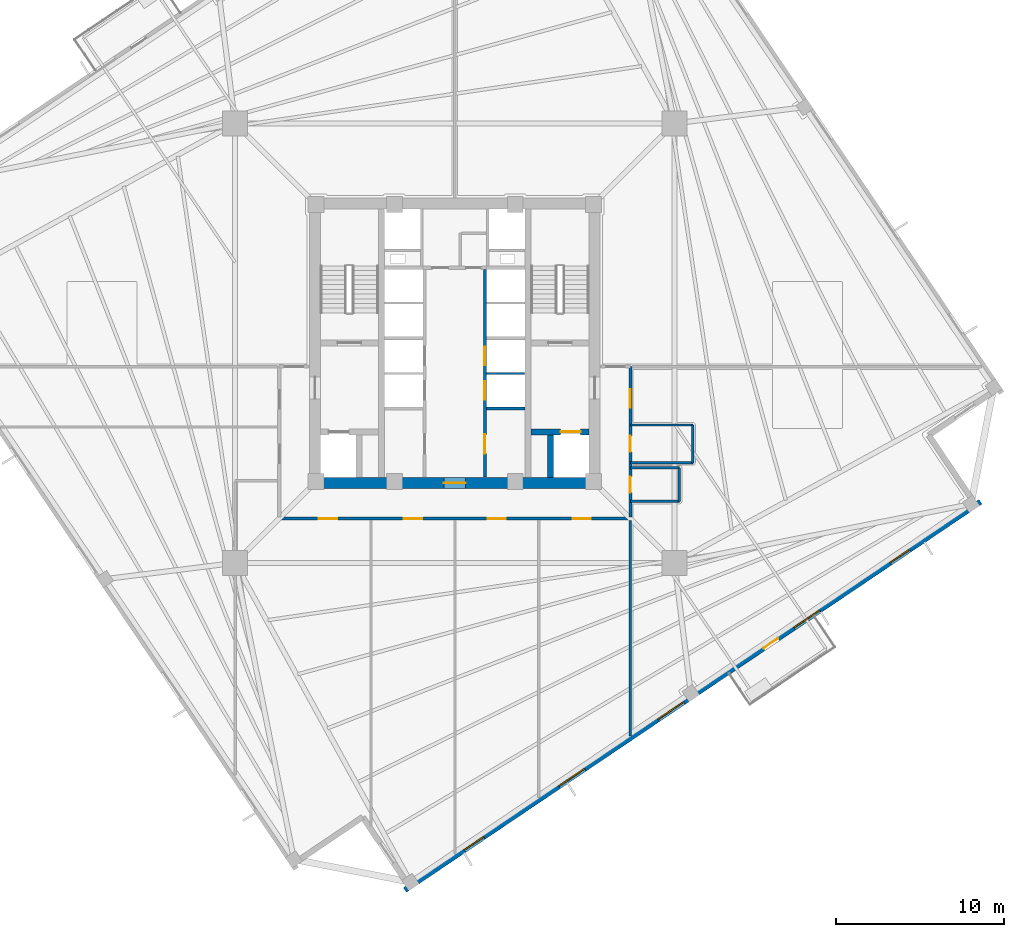
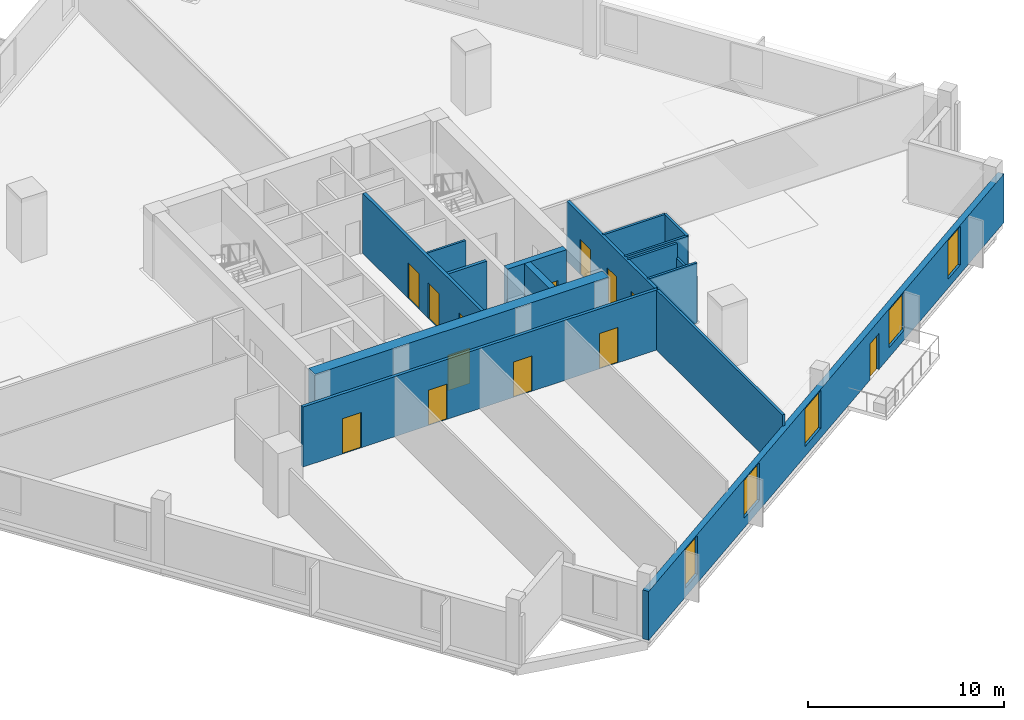
# One storey, part 3 of 8: 16 walls, 13 doors, 5 windows, 18 openings.
"""IFC4 building model written with IfcOpenShell, lengths in metres."""

from ifc_helpers import new_model, si_unit, direction, frame, frame_2d, origin, place, context, subcontext, project, spatial, rectangle, extrude, source, transform, mapped, material, layer, layer_set, type_object, element, fill, save


model = new_model("IFC4")

# Units and contexts
model_context = context("Model", 3, precision=1e-05, world=origin(), true_north=direction((0.0, 1.0)))
body_context = subcontext(model_context, "Body", "Model", "MODEL_VIEW")
ifc_project = project(units=[si_unit("LENGTHUNIT", "METRE"), si_unit("AREAUNIT", "SQUARE_METRE"), si_unit("VOLUMEUNIT", "CUBIC_METRE"), si_unit("PLANEANGLEUNIT", "RADIAN"), si_unit("MASSUNIT", "GRAM", prefix="KILO"), si_unit("THERMODYNAMICTEMPERATUREUNIT", "KELVIN")], contexts=[model_context])

# Site, building, storey
site_placement = place(None, origin())
site = spatial("IfcSite", under=ifc_project, at=site_placement, CompositionType="ELEMENT")
building_placement = place(site_placement, origin())
building = spatial("IfcBuilding", under=site, at=building_placement, Name="Kosmvard Interchange Tower", CompositionType="ELEMENT")
storey_placement = place(building_placement, frame((0.0, 0.0, 148.39990234375)))
storey = spatial("IfcBuildingStorey", under=building, at=storey_placement, Name="L35", CompositionType="ELEMENT", Elevation=148.39990234375)

# Wall
ifc_material_1 = material(Name="Acoustic gypsum partition system")
ifc_layer_1 = layer(ifc_material_1, 0.14990234375, Name="Acoustic gypsum partition system")
ifc_layer_set_1 = layer_set([ifc_layer_1], Name="Acoustic gypsum partition system")
wall_type_1 = type_object("IfcWallType", Name="Acoustic Suite & Meeting Partition 150", PredefinedType="PARTITIONING", material=ifc_layer_set_1)
wall_1_placement = place(storey_placement, frame((10.449951171875, -23.378173828125, 0.0), z_axis=(0.0, 0.0, 1.0), x_axis=(0.0, 1.0, 0.0)))
element("IfcWall", 1, at=wall_1_placement, inside=storey, type_object=wall_type_1, Name="L35 Room Partition 10.1", PredefinedType="PARTITIONING", context=body_context, shape_type="SweptSolid", body=[
    extrude(rectangle(XDim=12.833251953125, YDim=0.14990234375, at=frame_2d((6.41650390625, 0.0))), origin(), (0.0, 0.0, 1.0), 3.739990234375),
])

# Wall, openings, doors
ifc_material_2 = material(Name="Fire-rated gypsum partition system")
ifc_layer_2 = layer(ifc_material_2, 0.179931640625, Name="Fire-rated gypsum partition system")
ifc_layer_set_2 = layer_set([ifc_layer_2], Name="Fire-rated gypsum partition system")
wall_type_2 = type_object("IfcWallType", Name="Corridor & Hotel Compartment Partition 180", PredefinedType="PARTITIONING", material=ifc_layer_set_2)
wall_2_placement = place(storey_placement, frame((1.7900390625, -7.97998046875, 0.0), z_axis=(0.0, 0.0, 1.0), x_axis=(0.0, 1.0, 0.0)))
wall_2 = element("IfcWall", 2, at=wall_2_placement, inside=storey, type_object=wall_type_2, Name="L35 East Lift Bank Front Wall", PredefinedType="PARTITIONING", context=body_context, shape_type="SweptSolid", body=[
    extrude(rectangle(XDim=12.3798828125, YDim=0.179931640625, at=frame_2d((6.18994140625, 0.0))), origin(), (0.0, 0.0, 1.0), 3.739990234375),
])
opening_1_placement = place(wall_2_placement, frame((4.60009765625, 0.0, 0.0)))
opening_1 = element("IfcOpeningElement", 3, at=opening_1_placement, cuts=wall_2, Name="Opening LD-PL-M3-L35", PredefinedType="OPENING", context=body_context, shape_type="SweptSolid", body=[
    extrude(rectangle(XDim=1.10009765625, YDim=2.199951171875, at=frame_2d((0.550048828125, 1.10009765625))), frame((0.0, 0.10009765625, 0.0), z_axis=(0.0, -1.0, 0.0), x_axis=(1.0, 0.0, 0.0)), (0.0, 0.0, 1.0), 0.199951171875),
])
opening_2_placement = place(wall_2_placement, frame((6.659912109375, 0.0, 0.0)))
opening_2 = element("IfcOpeningElement", 4, at=opening_2_placement, cuts=wall_2, Name="Opening LD-PL-M4-L35", PredefinedType="OPENING", context=body_context, shape_type="SweptSolid", body=[
    extrude(rectangle(XDim=1.10009765625, YDim=2.199951171875, at=frame_2d((0.550048828125, 1.10009765625))), frame((0.0, 0.10009765625, 0.0), z_axis=(0.0, -1.0, 0.0), x_axis=(1.0, 0.0, 0.0)), (0.0, 0.0, 1.0), 0.199951171875),
])
opening_3_placement = place(wall_2_placement, frame((1.39990234375, 0.0, 0.0)))
opening_3 = element("IfcOpeningElement", 5, at=opening_3_placement, cuts=wall_2, Name="Opening L35-CD2", PredefinedType="OPENING", context=body_context, shape_type="SweptSolid", body=[
    extrude(rectangle(XDim=1.14990234375, YDim=2.25, at=frame_2d((0.574951171875, 1.125))), frame((0.0, 0.10009765625, 0.0), z_axis=(0.0, -1.0, 0.0), x_axis=(1.0, 0.0, 0.0)), (0.0, 0.0, 1.0), 0.199951171875),
])
ifc_material_3 = material(Name="Painted fire-rated steel leaf", Category="steel")
door_type_1 = type_object("IfcDoorType", Name="Plant & Riser Fire Door 1150x2250 EI60", OperationType="NOTDEFINED", PredefinedType="DOOR", material=ifc_material_3)
shared_shape_1 = source(origin(), body_context, "Body", "SweptSolid", [
    extrude(rectangle(XDim=1.14990234375, YDim=2.25, at=frame_2d((0.574951171875, 1.125))), frame((0.0, 0.02490234375, 0.0), z_axis=(0.0, -1.0, 0.0), x_axis=(1.0, 0.0, 0.0)), (0.0, 0.0, 1.0), 0.050048828125),
])
door_1_placement = place(opening_3_placement, frame((1.14990234375, 0.0, 0.0), z_axis=(0.0, 0.0, 1.0), x_axis=(-1.0, 0.0, 0.0)))
door_1 = element("IfcDoor", 6, at=door_1_placement, inside=storey, type_object=door_type_1, Name="L35 Core BMS Door", OperationType="SINGLE_SWING_RIGHT", OverallHeight=2.25, OverallWidth=1.14990234375, PredefinedType="DOOR", context=body_context, shape_type="MappedRepresentation", body=[
    mapped(shared_shape_1, transform((0.0, 0.0, 0.0), scale=1.0)),
])
fill(opening_3, door_1)
ifc_material_4 = material(Name="Brushed stainless steel sliding leaf", Category="steel")
door_type_2 = type_object("IfcDoorType", Name="Passenger Lift Sliding Landing Door 1100x2200 EI60", OperationType="DOUBLE_DOOR_SLIDING", PredefinedType="DOOR", material=ifc_material_4)
shared_shape_2 = source(origin(), body_context, "Body", "SweptSolid", [
    extrude(rectangle(XDim=1.10009765625, YDim=2.199951171875, at=frame_2d((0.550048828125, 1.10009765625))), frame((0.0, 0.02490234375, 0.0), z_axis=(0.0, -1.0, 0.0), x_axis=(1.0, 0.0, 0.0)), (0.0, 0.0, 1.0), 0.050048828125),
])
door_2_placement = place(opening_1_placement, origin())
door_2 = element("IfcDoor", 7, at=door_2_placement, inside=storey, type_object=door_type_2, Name="Lift PL-M3 Landing Door L35", OperationType="DOUBLE_DOOR_SLIDING", OverallHeight=2.199951171875, OverallWidth=1.10009765625, PredefinedType="DOOR", context=body_context, shape_type="MappedRepresentation", body=[
    mapped(shared_shape_2, transform((0.0, 0.0, 0.0), scale=1.0)),
])
fill(opening_1, door_2)
door_3_placement = place(opening_2_placement, origin())
door_3 = element("IfcDoor", 8, at=door_3_placement, inside=storey, type_object=door_type_2, Name="Lift PL-M4 Landing Door L35", OperationType="DOUBLE_DOOR_SLIDING", OverallHeight=2.199951171875, OverallWidth=1.10009765625, PredefinedType="DOOR", context=body_context, shape_type="MappedRepresentation", body=[
    mapped(shared_shape_2, transform((0.0, 0.0, 0.0), scale=1.0)),
])
fill(opening_2, door_3)

wall_3_placement = place(storey_placement, frame((-10.449951171875, -10.449951171875, 0.0), z_axis=(0.0, 0.0, 1.0), x_axis=(1.0, 0.0, 0.0)))
wall_3 = element("IfcWall", 9, at=wall_3_placement, inside=storey, type_object=wall_type_2, Name="L35 Corridor Wall CS", PredefinedType="PARTITIONING", context=body_context, shape_type="SweptSolid", body=[
    extrude(rectangle(XDim=20.89990234375, YDim=0.179931640625, at=frame_2d((10.449951171875, 0.0))), origin(), (0.0, 0.0, 1.0), 3.739990234375),
])
opening_4_placement = place(wall_3_placement, frame((2.33935546875, 0.0, 0.0)))
opening_4 = element("IfcOpeningElement", 10, at=opening_4_placement, cuts=wall_3, Name="Opening L35-D07", PredefinedType="OPENING", context=body_context, shape_type="SweptSolid", body=[
    extrude(rectangle(XDim=1.10009765625, YDim=2.199951171875, at=frame_2d((0.550048828125, 1.10009765625))), frame((0.0, 0.10009765625, 0.0), z_axis=(0.0, -1.0, 0.0), x_axis=(1.0, 0.0, 0.0)), (0.0, 0.0, 1.0), 0.199951171875),
])
opening_5_placement = place(wall_3_placement, frame((7.39990234375, 0.0, 0.0)))
opening_5 = element("IfcOpeningElement", 11, at=opening_5_placement, cuts=wall_3, Name="Opening L35-D08", PredefinedType="OPENING", context=body_context, shape_type="SweptSolid", body=[
    extrude(rectangle(XDim=1.10009765625, YDim=2.199951171875, at=frame_2d((0.550048828125, 1.10009765625))), frame((0.0, 0.10009765625, 0.0), z_axis=(0.0, -1.0, 0.0), x_axis=(1.0, 0.0, 0.0)), (0.0, 0.0, 1.0), 0.199951171875),
])
opening_6_placement = place(wall_3_placement, frame((12.39990234375, 0.0, 0.0)))
opening_6 = element("IfcOpeningElement", 12, at=opening_6_placement, cuts=wall_3, Name="Opening L35-D09", PredefinedType="OPENING", context=body_context, shape_type="SweptSolid", body=[
    extrude(rectangle(XDim=1.10009765625, YDim=2.199951171875, at=frame_2d((0.550048828125, 1.10009765625))), frame((0.0, 0.10009765625, 0.0), z_axis=(0.0, -1.0, 0.0), x_axis=(1.0, 0.0, 0.0)), (0.0, 0.0, 1.0), 0.199951171875),
])
opening_7_placement = place(wall_3_placement, frame((17.46044921875, 0.0, 0.0)))
opening_7 = element("IfcOpeningElement", 13, at=opening_7_placement, cuts=wall_3, Name="Opening L35-D10", PredefinedType="OPENING", context=body_context, shape_type="SweptSolid", body=[
    extrude(rectangle(XDim=1.10009765625, YDim=2.199951171875, at=frame_2d((0.550048828125, 1.10009765625))), frame((0.0, 0.10009765625, 0.0), z_axis=(0.0, -1.0, 0.0), x_axis=(1.0, 0.0, 0.0)), (0.0, 0.0, 1.0), 0.199951171875),
])
ifc_material_5 = material(Name="Engineered oak fire-rated timber", Category="wood")
door_type_3 = type_object("IfcDoorType", Name="Office Suite Entrance Door 1100x2200 FD30S", OperationType="NOTDEFINED", PredefinedType="DOOR", material=ifc_material_5)
door_4_placement = place(opening_4_placement, frame((1.10009765625, 0.0, 0.0), z_axis=(0.0, 0.0, 1.0), x_axis=(-1.0, 0.0, 0.0)))
door_4 = element("IfcDoor", 14, at=door_4_placement, inside=storey, type_object=door_type_3, Name="L35 South-West Corner Office 2 Door", OperationType="SINGLE_SWING_LEFT", OverallHeight=2.199951171875, OverallWidth=1.10009765625, PredefinedType="DOOR", context=body_context, shape_type="MappedRepresentation", body=[
    mapped(shared_shape_2, transform((0.0, 0.0, 0.0), scale=1.0)),
])
fill(opening_4, door_4)
door_5_placement = place(opening_5_placement, frame((1.10009765625, 0.0, 0.0), z_axis=(0.0, 0.0, 1.0), x_axis=(-1.0, 0.0, 0.0)))
door_5 = element("IfcDoor", 15, at=door_5_placement, inside=storey, type_object=door_type_3, Name="L35 South Briefing Room 1 Door", OperationType="SINGLE_SWING_RIGHT", OverallHeight=2.199951171875, OverallWidth=1.10009765625, PredefinedType="DOOR", context=body_context, shape_type="MappedRepresentation", body=[
    mapped(shared_shape_2, transform((0.0, 0.0, 0.0), scale=1.0)),
])
fill(opening_5, door_5)
door_6_placement = place(opening_6_placement, frame((1.10009765625, 0.0, 0.0), z_axis=(0.0, 0.0, 1.0), x_axis=(-1.0, 0.0, 0.0)))
door_6 = element("IfcDoor", 16, at=door_6_placement, inside=storey, type_object=door_type_3, Name="L35 South Boardroom 2 Door", OperationType="SINGLE_SWING_LEFT", OverallHeight=2.199951171875, OverallWidth=1.10009765625, PredefinedType="DOOR", context=body_context, shape_type="MappedRepresentation", body=[
    mapped(shared_shape_2, transform((0.0, 0.0, 0.0), scale=1.0)),
])
fill(opening_6, door_6)
door_7_placement = place(opening_7_placement, frame((1.10009765625, 0.0, 0.0), z_axis=(0.0, 0.0, 1.0), x_axis=(-1.0, 0.0, 0.0)))
door_7 = element("IfcDoor", 17, at=door_7_placement, inside=storey, type_object=door_type_3, Name="L35 South Advisory Office 3 Door", OperationType="SINGLE_SWING_RIGHT", OverallHeight=2.199951171875, OverallWidth=1.10009765625, PredefinedType="DOOR", context=body_context, shape_type="MappedRepresentation", body=[
    mapped(shared_shape_2, transform((0.0, 0.0, 0.0), scale=1.0)),
])
fill(opening_7, door_7)

wall_4_placement = place(storey_placement, frame((10.449951171875, -10.35009765625, 0.0), z_axis=(0.0, 0.0, 1.0), x_axis=(0.0, 1.0, 0.0)))
wall_4 = element("IfcWall", 18, at=wall_4_placement, inside=storey, type_object=wall_type_2, Name="L35 Corridor Wall CE", PredefinedType="PARTITIONING", context=body_context, shape_type="SweptSolid", body=[
    extrude(rectangle(XDim=8.9501953125, YDim=0.179931640625, at=frame_2d((4.47509765625, 0.0))), origin(), (0.0, 0.0, 1.0), 3.739990234375),
])
opening_8_placement = place(wall_4_placement, frame((1.455078125, 0.0, 0.0)))
opening_8 = element("IfcOpeningElement", 19, at=opening_8_placement, cuts=wall_4, Name="Opening L35-D01", PredefinedType="OPENING", context=body_context, shape_type="SweptSolid", body=[
    extrude(rectangle(XDim=0.949951171875, YDim=2.10009765625, at=frame_2d((0.47509765625, 1.050048828125))), frame((0.0, 0.10009765625, 0.0), z_axis=(0.0, -1.0, 0.0), x_axis=(1.0, 0.0, 0.0)), (0.0, 0.0, 1.0), 0.199951171875),
])
opening_9_placement = place(wall_4_placement, frame((3.879150390625, 0.0, 0.0)))
opening_9 = element("IfcOpeningElement", 20, at=opening_9_placement, cuts=wall_4, Name="Opening L35-D02", PredefinedType="OPENING", context=body_context, shape_type="SweptSolid", body=[
    extrude(rectangle(XDim=0.949951171875, YDim=2.10009765625, at=frame_2d((0.47509765625, 1.050048828125))), frame((0.0, 0.10009765625, 0.0), z_axis=(0.0, -1.0, 0.0), x_axis=(1.0, 0.0, 0.0)), (0.0, 0.0, 1.0), 0.199951171875),
])
opening_10_placement = place(wall_4_placement, frame((6.494140625, 0.0, 0.0)))
opening_10 = element("IfcOpeningElement", 21, at=opening_10_placement, cuts=wall_4, Name="Opening L35-D11", PredefinedType="OPENING", context=body_context, shape_type="SweptSolid", body=[
    extrude(rectangle(XDim=1.10009765625, YDim=2.199951171875, at=frame_2d((0.550048828125, 1.10009765625))), frame((0.0, 0.10009765625, 0.0), z_axis=(0.0, -1.0, 0.0), x_axis=(1.0, 0.0, 0.0)), (0.0, 0.0, 1.0), 0.199951171875),
])
ifc_material_6 = material(Name="Laminated moisture-resistant timber", Category="wood")
door_type_4 = type_object("IfcDoorType", Name="Accessible Washroom Door 950x2100", OperationType="NOTDEFINED", PredefinedType="DOOR", material=ifc_material_6)
shared_shape_3 = source(origin(), body_context, "Body", "SweptSolid", [
    extrude(rectangle(XDim=0.949951171875, YDim=2.10009765625, at=frame_2d((0.47509765625, 1.050048828125))), frame((0.0, 0.02490234375, 0.0), z_axis=(0.0, -1.0, 0.0), x_axis=(1.0, 0.0, 0.0)), (0.0, 0.0, 1.0), 0.050048828125),
])
door_8_placement = place(opening_8_placement, frame((0.949951171875, 0.0, 0.0), z_axis=(0.0, 0.0, 1.0), x_axis=(-1.0, 0.0, 0.0)))
door_8 = element("IfcDoor", 22, at=door_8_placement, inside=storey, type_object=door_type_4, Name="L35 Accessible Toilet Door", OperationType="SINGLE_SWING_LEFT", OverallHeight=2.10009765625, OverallWidth=0.949951171875, PredefinedType="DOOR", context=body_context, shape_type="MappedRepresentation", body=[
    mapped(shared_shape_3, transform((0.0, 0.0, 0.0), scale=1.0)),
])
fill(opening_8, door_8)
door_9_placement = place(opening_9_placement, frame((0.949951171875, 0.0, 0.0), z_axis=(0.0, 0.0, 1.0), x_axis=(-1.0, 0.0, 0.0)))
door_9 = element("IfcDoor", 23, at=door_9_placement, inside=storey, type_object=door_type_4, Name="L35 Public Floor Washroom Door", OperationType="SINGLE_SWING_RIGHT", OverallHeight=2.10009765625, OverallWidth=0.949951171875, PredefinedType="DOOR", context=body_context, shape_type="MappedRepresentation", body=[
    mapped(shared_shape_3, transform((0.0, 0.0, 0.0), scale=1.0)),
])
fill(opening_9, door_9)
door_10_placement = place(opening_10_placement, frame((1.10009765625, 0.0, 0.0), z_axis=(0.0, 0.0, 1.0), x_axis=(-1.0, 0.0, 0.0)))
door_10 = element("IfcDoor", 24, at=door_10_placement, inside=storey, type_object=door_type_3, Name="L35 South-East Open Engineering Studio Door", OperationType="SINGLE_SWING_LEFT", OverallHeight=2.199951171875, OverallWidth=1.10009765625, PredefinedType="DOOR", context=body_context, shape_type="MappedRepresentation", body=[
    mapped(shared_shape_2, transform((0.0, 0.0, 0.0), scale=1.0)),
])
fill(opening_10, door_10)

# Wall, opening, door
ifc_material_7 = material(Name="Concrete C70/85", Category="concrete")
ifc_layer_3 = layer(ifc_material_7, 0.64990234375, Name="Concrete C70/85")
ifc_layer_set_3 = layer_set([ifc_layer_3], Name="Concrete C70/85")
wall_type_3 = type_object("IfcWallType", Name="Mid Core Shear Wall 650 C70/85", PredefinedType="SHEAR", material=ifc_layer_set_3)
wall_5_placement = place(storey_placement, frame((-8.64990234375, -8.324951171875, 0.0), z_axis=(0.0, 0.0, 1.0), x_axis=(1.0, 0.0, 0.0)))
wall_5 = element("IfcWall", 25, at=wall_5_placement, inside=storey, type_object=wall_type_3, Name="L35 Core Shear Wall CW-S", PredefinedType="SHEAR", context=body_context, shape_type="SweptSolid", body=[
    extrude(rectangle(XDim=17.2998046875, YDim=0.64990234375, at=frame_2d((8.64990234375, 0.0))), origin(), (0.0, 0.0, 1.0), 4.0),
])
opening_11_placement = place(wall_5_placement, frame((8.0, 0.0, 0.0)))
opening_11 = element("IfcOpeningElement", 26, at=opening_11_placement, cuts=wall_5, Name="Opening L35-LD0", PredefinedType="OPENING", context=body_context, shape_type="SweptSolid", body=[
    extrude(rectangle(XDim=1.300048828125, YDim=2.199951171875, at=frame_2d((0.64990234375, 1.10009765625))), frame((0.0, 0.3349609375, 0.0), z_axis=(0.0, -1.0, 0.0), x_axis=(1.0, 0.0, 0.0)), (0.0, 0.0, 1.0), 0.669921875),
])
door_type_5 = type_object("IfcDoorType", Name="Firefighting Lobby Door 1300x2200 EI60", OperationType="NOTDEFINED", PredefinedType="DOOR", material=ifc_material_3)
shared_shape_4 = source(origin(), body_context, "Body", "SweptSolid", [
    extrude(rectangle(XDim=1.300048828125, YDim=2.199951171875, at=frame_2d((0.64990234375, 1.10009765625))), frame((0.0, 0.02490234375, 0.0), z_axis=(0.0, -1.0, 0.0), x_axis=(1.0, 0.0, 0.0)), (0.0, 0.0, 1.0), 0.050048828125),
])
door_11_placement = place(opening_11_placement, frame((1.300048828125, 0.0, 0.0), z_axis=(0.0, 0.0, 1.0), x_axis=(-1.0, 0.0, 0.0)))
door_11 = element("IfcDoor", 27, at=door_11_placement, inside=storey, type_object=door_type_5, Name="L35 Passenger Lift Lobby South Door", OperationType="SINGLE_SWING_RIGHT", OverallHeight=2.199951171875, OverallWidth=1.300048828125, PredefinedType="DOOR", context=body_context, shape_type="MappedRepresentation", body=[
    mapped(shared_shape_4, transform((0.0, 0.0, 0.0), scale=1.0)),
])
fill(opening_11, door_11)

# Wall, openings, door, windows
ifc_material_8 = material(Name="Precast concrete C45/55", Category="concrete")
ifc_layer_4 = layer(ifc_material_8, 0.340087890625, Name="Precast concrete C45/55")
ifc_layer_set_4 = layer_set([ifc_layer_4], Name="Precast concrete C45/55")
wall_type_4 = type_object("IfcWallType", Name="Mid Tower Precast Pier Wall 340 C45/55", PredefinedType="STANDARD", material=ifc_layer_set_4)
wall_6_placement = place(storey_placement, frame((-2.971923828125, -32.55810546875, 0.0), z_axis=(0.0, 0.0, 1.0), x_axis=(0.829036218961, 0.559194910251, 0.0)))
wall_6 = element("IfcWall", 28, at=wall_6_placement, inside=storey, type_object=wall_type_4, Name="L35 Precast Facade Wall F-S", PredefinedType="STANDARD", context=body_context, shape_type="SweptSolid", body=[
    extrude(rectangle(XDim=41.340087890625, YDim=0.340087890625, at=frame_2d((20.669921875, 0.0))), origin(), (0.0, 0.0, 1.0), 3.0400390625),
])
opening_12_placement = place(wall_6_placement, frame((25.7451171875, 0.0, 0.0)))
opening_12 = element("IfcOpeningElement", 29, at=opening_12_placement, cuts=wall_6, Name="Opening L35-BDW", PredefinedType="OPENING", context=body_context, shape_type="SweptSolid", body=[
    extrude(rectangle(XDim=1.050048828125, YDim=2.25, at=frame_2d((0.52490234375, 1.125))), frame((0.0, 0.18017578125, 0.0), z_axis=(0.0, -1.0, 0.0), x_axis=(1.0, 0.0, 0.0)), (0.0, 0.0, 1.0), 0.360107421875),
])
opening_13_placement = place(wall_6_placement, frame((4.2607421875, 0.0, 0.56005859375)))
opening_13 = element("IfcOpeningElement", 30, at=opening_13_placement, cuts=wall_6, Name="Opening L35-W01", PredefinedType="OPENING", context=body_context, shape_type="SweptSolid", body=[
    extrude(rectangle(XDim=1.39990234375, YDim=2.39990234375, at=frame_2d((0.699951171875, 1.199951171875))), frame((0.0, 0.18017578125, 0.0), z_axis=(0.0, -1.0, 0.0), x_axis=(1.0, 0.0, 0.0)), (0.0, 0.0, 1.0), 0.360107421875),
])
opening_14_placement = place(wall_6_placement, frame((11.063720703125, 0.0, 0.610107421875)))
opening_14 = element("IfcOpeningElement", 31, at=opening_14_placement, cuts=wall_6, Name="Opening L35-W02", PredefinedType="OPENING", context=body_context, shape_type="SweptSolid", body=[
    extrude(rectangle(XDim=1.85009765625, YDim=2.35009765625, at=frame_2d((0.925048828125, 1.175048828125))), frame((0.0, 0.18017578125, 0.0), z_axis=(0.0, -1.0, 0.0), x_axis=(1.0, 0.0, 0.0)), (0.0, 0.0, 1.0), 0.360107421875),
])
opening_15_placement = place(wall_6_placement, frame((18.168212890625, 0.0, 0.610107421875)))
opening_15 = element("IfcOpeningElement", 32, at=opening_15_placement, cuts=wall_6, Name="Opening L35-W03", PredefinedType="OPENING", context=body_context, shape_type="SweptSolid", body=[
    extrude(rectangle(XDim=1.85009765625, YDim=2.35009765625, at=frame_2d((0.925048828125, 1.175048828125))), frame((0.0, 0.18017578125, 0.0), z_axis=(0.0, -1.0, 0.0), x_axis=(1.0, 0.0, 0.0)), (0.0, 0.0, 1.0), 0.360107421875),
])
opening_16_placement = place(wall_6_placement, frame((27.936279296875, 0.0, 0.610107421875)))
opening_16 = element("IfcOpeningElement", 33, at=opening_16_placement, cuts=wall_6, Name="Opening L35-W04", PredefinedType="OPENING", context=body_context, shape_type="SweptSolid", body=[
    extrude(rectangle(XDim=1.85009765625, YDim=2.35009765625, at=frame_2d((0.925048828125, 1.175048828125))), frame((0.0, 0.18017578125, 0.0), z_axis=(0.0, -1.0, 0.0), x_axis=(1.0, 0.0, 0.0)), (0.0, 0.0, 1.0), 0.360107421875),
])
opening_17_placement = place(wall_6_placement, frame((34.852294921875, 0.0, 0.56005859375)))
opening_17 = element("IfcOpeningElement", 34, at=opening_17_placement, cuts=wall_6, Name="Opening L35-W05", PredefinedType="OPENING", context=body_context, shape_type="SweptSolid", body=[
    extrude(rectangle(XDim=1.39990234375, YDim=2.39990234375, at=frame_2d((0.699951171875, 1.199951171875))), frame((0.0, 0.18017578125, 0.0), z_axis=(0.0, -1.0, 0.0), x_axis=(1.0, 0.0, 0.0)), (0.0, 0.0, 1.0), 0.360107421875),
])
ifc_material_9 = material(Name="Anodised aluminium and safety glass", Category="aluminium")
door_type_6 = type_object("IfcDoorType", Name="Tree-Balcony Glazed Door 1050x2250", OperationType="NOTDEFINED", PredefinedType="DOOR", material=ifc_material_9)
shared_shape_5 = source(origin(), body_context, "Body", "SweptSolid", [
    extrude(rectangle(XDim=1.050048828125, YDim=2.25, at=frame_2d((0.52490234375, 1.125))), frame((0.0, 0.02490234375, 0.0), z_axis=(0.0, -1.0, 0.0), x_axis=(1.0, 0.0, 0.0)), (0.0, 0.0, 1.0), 0.050048828125),
])
door_12_placement = place(opening_12_placement, origin())
door_12 = element("IfcDoor", 35, at=door_12_placement, inside=storey, type_object=door_type_6, Name="L35 Tree-Balcony Door BAL-L35-SW", OperationType="SINGLE_SWING_RIGHT", OverallHeight=2.25, OverallWidth=1.050048828125, PredefinedType="DOOR", context=body_context, shape_type="MappedRepresentation", body=[
    mapped(shared_shape_5, transform((0.0, 0.0, 0.0), scale=1.0)),
])
fill(opening_12, door_12)
ifc_material_10 = material(Name="Low-E solar-control double glazing", Category="glass")
window_type_1 = type_object("IfcWindowType", Name="Notched Corner Feature Window 1400x2400", PartitioningType="SINGLE_PANEL", PredefinedType="WINDOW", material=ifc_material_10)
shared_shape_6 = source(origin(), body_context, "Body", "SweptSolid", [
    extrude(rectangle(XDim=1.39990234375, YDim=2.39990234375, at=frame_2d((0.699951171875, 1.199951171875))), frame((0.0, 0.030029296875, 0.0), z_axis=(0.0, -1.0, 0.0), x_axis=(1.0, 0.0, 0.0)), (0.0, 0.0, 1.0), 0.06005859375),
])
window_1_placement = place(opening_13_placement, origin())
window_1 = element("IfcWindow", 36, at=window_1_placement, inside=storey, type_object=window_type_1, Name="L35 Facade Punched Window 01", OverallHeight=2.39990234375, OverallWidth=1.39990234375, PartitioningType="SINGLE_PANEL", PredefinedType="WINDOW", context=body_context, shape_type="MappedRepresentation", body=[
    mapped(shared_shape_6, transform((0.0, 0.0, 0.0), scale=1.0)),
])
fill(opening_13, window_1)
window_2_placement = place(opening_17_placement, origin())
window_2 = element("IfcWindow", 37, at=window_2_placement, inside=storey, type_object=window_type_1, Name="L35 Facade Punched Window 05", OverallHeight=2.39990234375, OverallWidth=1.39990234375, PartitioningType="SINGLE_PANEL", PredefinedType="WINDOW", context=body_context, shape_type="MappedRepresentation", body=[
    mapped(shared_shape_6, transform((0.0, 0.0, 0.0), scale=1.0)),
])
fill(opening_17, window_2)
window_type_2 = type_object("IfcWindowType", Name="Zone 3 Office Punched Window 1850x2350", PartitioningType="SINGLE_PANEL", PredefinedType="WINDOW", material=ifc_material_10)
shared_shape_7 = source(origin(), body_context, "Body", "SweptSolid", [
    extrude(rectangle(XDim=1.85009765625, YDim=2.35009765625, at=frame_2d((0.925048828125, 1.175048828125))), frame((0.0, 0.030029296875, 0.0), z_axis=(0.0, -1.0, 0.0), x_axis=(1.0, 0.0, 0.0)), (0.0, 0.0, 1.0), 0.06005859375),
])
window_3_placement = place(opening_14_placement, origin())
window_3 = element("IfcWindow", 38, at=window_3_placement, inside=storey, type_object=window_type_2, Name="L35 Facade Punched Window 02", OverallHeight=2.35009765625, OverallWidth=1.85009765625, PartitioningType="SINGLE_PANEL", PredefinedType="WINDOW", context=body_context, shape_type="MappedRepresentation", body=[
    mapped(shared_shape_7, transform((0.0, 0.0, 0.0), scale=1.0)),
])
fill(opening_14, window_3)
window_4_placement = place(opening_15_placement, origin())
window_4 = element("IfcWindow", 39, at=window_4_placement, inside=storey, type_object=window_type_2, Name="L35 Facade Punched Window 03", OverallHeight=2.35009765625, OverallWidth=1.85009765625, PartitioningType="SINGLE_PANEL", PredefinedType="WINDOW", context=body_context, shape_type="MappedRepresentation", body=[
    mapped(shared_shape_7, transform((0.0, 0.0, 0.0), scale=1.0)),
])
fill(opening_15, window_4)
window_5_placement = place(opening_16_placement, origin())
window_5 = element("IfcWindow", 40, at=window_5_placement, inside=storey, type_object=window_type_2, Name="L35 Facade Punched Window 04", OverallHeight=2.35009765625, OverallWidth=1.85009765625, PartitioningType="SINGLE_PANEL", PredefinedType="WINDOW", context=body_context, shape_type="MappedRepresentation", body=[
    mapped(shared_shape_7, transform((0.0, 0.0, 0.0), scale=1.0)),
])
fill(opening_16, window_5)

# Walls
ifc_material_11 = material(Name="Concrete blockwork masonry", Category="masonry")
ifc_layer_5 = layer(ifc_material_11, 0.179931640625, Name="Concrete blockwork masonry")
ifc_layer_set_5 = layer_set([ifc_layer_5], Name="Concrete blockwork masonry")
wall_type_5 = type_object("IfcWallType", Name="Riser & Lift Bank Divider Wall 180", PredefinedType="PARTITIONING", material=ifc_layer_set_5)
wall_7_placement = place(storey_placement, frame((1.889892578125, -3.89990234375, 0.0), z_axis=(0.0, 0.0, 1.0), x_axis=(1.0, 0.0, 0.0)))
element("IfcWall", 41, at=wall_7_placement, inside=storey, type_object=wall_type_5, Name="L35 East Bank Divider BD1", PredefinedType="PARTITIONING", context=body_context, shape_type="SweptSolid", body=[
    extrude(rectangle(XDim=2.280029296875, YDim=0.179931640625, at=frame_2d((1.14013671875, 0.0))), origin(), (0.0, 0.0, 1.0), 3.739990234375),
])
ifc_material_12 = material(Name="Fire-rated gypsum shaftwall system")
ifc_layer_6 = layer(ifc_material_12, 0.1201171875, Name="Fire-rated gypsum shaftwall system")
ifc_layer_set_6 = layer_set([ifc_layer_6], Name="Fire-rated gypsum shaftwall system")
wall_type_6 = type_object("IfcWallType", Name="Shaft & Riser Fire Partition 120 EI60", PredefinedType="PARTITIONING", material=ifc_layer_set_6)
wall_8_placement = place(storey_placement, frame((1.89990234375, -1.800048828125, 0.0), z_axis=(0.0, 0.0, 1.0), x_axis=(1.0, 0.0, 0.0)))
element("IfcWall", 42, at=wall_8_placement, inside=storey, type_object=wall_type_6, Name="L35 Shaft Divider PL-M3", PredefinedType="PARTITIONING", context=body_context, shape_type="SweptSolid", body=[
    extrude(rectangle(XDim=2.260009765625, YDim=0.1201171875, at=frame_2d((1.1298828125, 0.0))), origin(), (0.0, 0.0, 1.0), 3.739990234375),
])

# Wall, opening, door
ifc_material_13 = material(Name="Concrete C60/75", Category="concrete")
ifc_layer_7 = layer(ifc_material_13, 0.360107421875, Name="Concrete C60/75")
ifc_layer_set_7 = layer_set([ifc_layer_7], Name="Concrete C60/75")
wall_type_7 = type_object("IfcWallType", Name="Stair & Lift Shaft Shear Wall 360 C60/75", PredefinedType="SHEAR", material=ifc_layer_set_7)
wall_9_placement = place(storey_placement, frame((4.5400390625, -5.280029296875, 0.0), z_axis=(0.0, 0.0, 1.0), x_axis=(1.0, 0.0, 0.0)))
wall_9 = element("IfcWall", 43, at=wall_9_placement, inside=storey, type_object=wall_type_7, Name="L35 Shaft Shear Wall SW-FF2", PredefinedType="SHEAR", context=body_context, shape_type="SweptSolid", body=[
    extrude(rectangle(XDim=3.4599609375, YDim=0.360107421875, at=frame_2d((1.72998046875, 0.0))), origin(), (0.0, 0.0, 1.0), 4.0),
])
opening_18_placement = place(wall_9_placement, frame((1.760009765625, 0.0, 0.0)))
opening_18 = element("IfcOpeningElement", 44, at=opening_18_placement, cuts=wall_9, Name="Opening LD-FF-2-L35", PredefinedType="OPENING", context=body_context, shape_type="SweptSolid", body=[
    extrude(rectangle(XDim=1.199951171875, YDim=2.25, at=frame_2d((0.60009765625, 1.125))), frame((0.0, 0.18994140625, 0.0), z_axis=(0.0, -1.0, 0.0), x_axis=(1.0, 0.0, 0.0)), (0.0, 0.0, 1.0), 0.380126953125),
])
door_type_7 = type_object("IfcDoorType", Name="Firefighting Lift Sliding Landing Door 1200x2250 EI120", OperationType="DOUBLE_DOOR_SLIDING", PredefinedType="DOOR", material=ifc_material_4)
shared_shape_8 = source(origin(), body_context, "Body", "SweptSolid", [
    extrude(rectangle(XDim=1.199951171875, YDim=2.25, at=frame_2d((0.60009765625, 1.125))), frame((0.0, 0.02490234375, 0.0), z_axis=(0.0, -1.0, 0.0), x_axis=(1.0, 0.0, 0.0)), (0.0, 0.0, 1.0), 0.050048828125),
])
door_13_placement = place(opening_18_placement, origin())
door_13 = element("IfcDoor", 45, at=door_13_placement, inside=storey, type_object=door_type_7, Name="Lift FF-2 Landing Door L35", OperationType="DOUBLE_DOOR_SLIDING", OverallHeight=2.25, OverallWidth=1.199951171875, PredefinedType="DOOR", context=body_context, shape_type="MappedRepresentation", body=[
    mapped(shared_shape_8, transform((0.0, 0.0, 0.0), scale=1.0)),
])
fill(opening_18, door_13)

# Walls
wall_10_placement = place(storey_placement, frame((5.7099609375, -8.0, 0.0), z_axis=(0.0, 0.0, 1.0), x_axis=(0.0, 1.0, 0.0)))
element("IfcWall", 46, at=wall_10_placement, inside=storey, type_object=wall_type_7, Name="L35 Shaft Shear Wall SW-SM2", PredefinedType="SHEAR", context=body_context, shape_type="SweptSolid", body=[
    extrude(rectangle(XDim=2.5400390625, YDim=0.360107421875, at=frame_2d((1.27001953125, 0.0))), origin(), (0.0, 0.0, 1.0), 4.0),
])
ifc_material_14 = material(Name="Moisture-resistant gypsum partition")
ifc_layer_8 = layer(ifc_material_14, 0.135009765625, Name="Moisture-resistant gypsum partition")
ifc_layer_set_8 = layer_set([ifc_layer_8], Name="Moisture-resistant gypsum partition")
wall_type_8 = type_object("IfcWallType", Name="Wet Room Moisture-Resistant Partition 135", PredefinedType="PARTITIONING", material=ifc_layer_set_8)
wall_11_placement = place(storey_placement, frame((10.469970703125, -9.419921875, 0.0), z_axis=(0.0, 0.0, 1.0), x_axis=(1.0, 0.0, 0.0)))
element("IfcWall", 47, at=wall_11_placement, inside=storey, type_object=wall_type_8, Name="L35 Washroom Partition AWC1-S", PredefinedType="PARTITIONING", context=body_context, shape_type="SweptSolid", body=[
    extrude(rectangle(XDim=2.900146484375, YDim=0.135009765625, at=frame_2d((1.4501953125, 0.0))), origin(), (0.0, 0.0, 1.0), 3.739990234375),
])
wall_12_placement = place(storey_placement, frame((13.3701171875, -9.419921875, 0.0), z_axis=(0.0, 0.0, 1.0), x_axis=(0.0, 1.0, 0.0)))
element("IfcWall", 48, at=wall_12_placement, inside=storey, type_object=wall_type_8, Name="L35 Washroom Partition AWC1-E", PredefinedType="PARTITIONING", context=body_context, shape_type="SweptSolid", body=[
    extrude(rectangle(XDim=2.0, YDim=0.135009765625, at=frame_2d((1.0, 0.0))), origin(), (0.0, 0.0, 1.0), 2.840087890625),
])
wall_13_placement = place(storey_placement, frame((10.469970703125, -7.419921875, 0.0), z_axis=(0.0, 0.0, 1.0), x_axis=(1.0, 0.0, 0.0)))
element("IfcWall", 49, at=wall_13_placement, inside=storey, type_object=wall_type_8, Name="L35 Washroom Partition AWC1-N", PredefinedType="PARTITIONING", context=body_context, shape_type="SweptSolid", body=[
    extrude(rectangle(XDim=2.900146484375, YDim=0.135009765625, at=frame_2d((1.4501953125, 0.0))), origin(), (0.0, 0.0, 1.0), 3.739990234375),
])
wall_14_placement = place(storey_placement, frame((10.469970703125, -7.120849609375, 0.0), z_axis=(0.0, 0.0, 1.0), x_axis=(1.0, 0.0, 0.0)))
element("IfcWall", 50, at=wall_14_placement, inside=storey, type_object=wall_type_8, Name="L35 Washroom Partition WC1-S", PredefinedType="PARTITIONING", context=body_context, shape_type="SweptSolid", body=[
    extrude(rectangle(XDim=3.699951171875, YDim=0.135009765625, at=frame_2d((1.85009765625, 0.0))), origin(), (0.0, 0.0, 1.0), 3.739990234375),
])
wall_15_placement = place(storey_placement, frame((14.169921875, -7.120849609375, 0.0), z_axis=(0.0, 0.0, 1.0), x_axis=(0.0, 1.0, 0.0)))
element("IfcWall", 51, at=wall_15_placement, inside=storey, type_object=wall_type_8, Name="L35 Washroom Partition WC1-E", PredefinedType="PARTITIONING", context=body_context, shape_type="SweptSolid", body=[
    extrude(rectangle(XDim=2.25, YDim=0.135009765625, at=frame_2d((1.125, 0.0))), origin(), (0.0, 0.0, 1.0), 3.739990234375),
])
wall_16_placement = place(storey_placement, frame((10.469970703125, -4.870849609375, 0.0), z_axis=(0.0, 0.0, 1.0), x_axis=(1.0, 0.0, 0.0)))
element("IfcWall", 52, at=wall_16_placement, inside=storey, type_object=wall_type_8, Name="L35 Washroom Partition WC1-N", PredefinedType="PARTITIONING", context=body_context, shape_type="SweptSolid", body=[
    extrude(rectangle(XDim=3.699951171875, YDim=0.135009765625, at=frame_2d((1.85009765625, 0.0))), origin(), (0.0, 0.0, 1.0), 3.739990234375),
])

save(model, "model.ifc")
